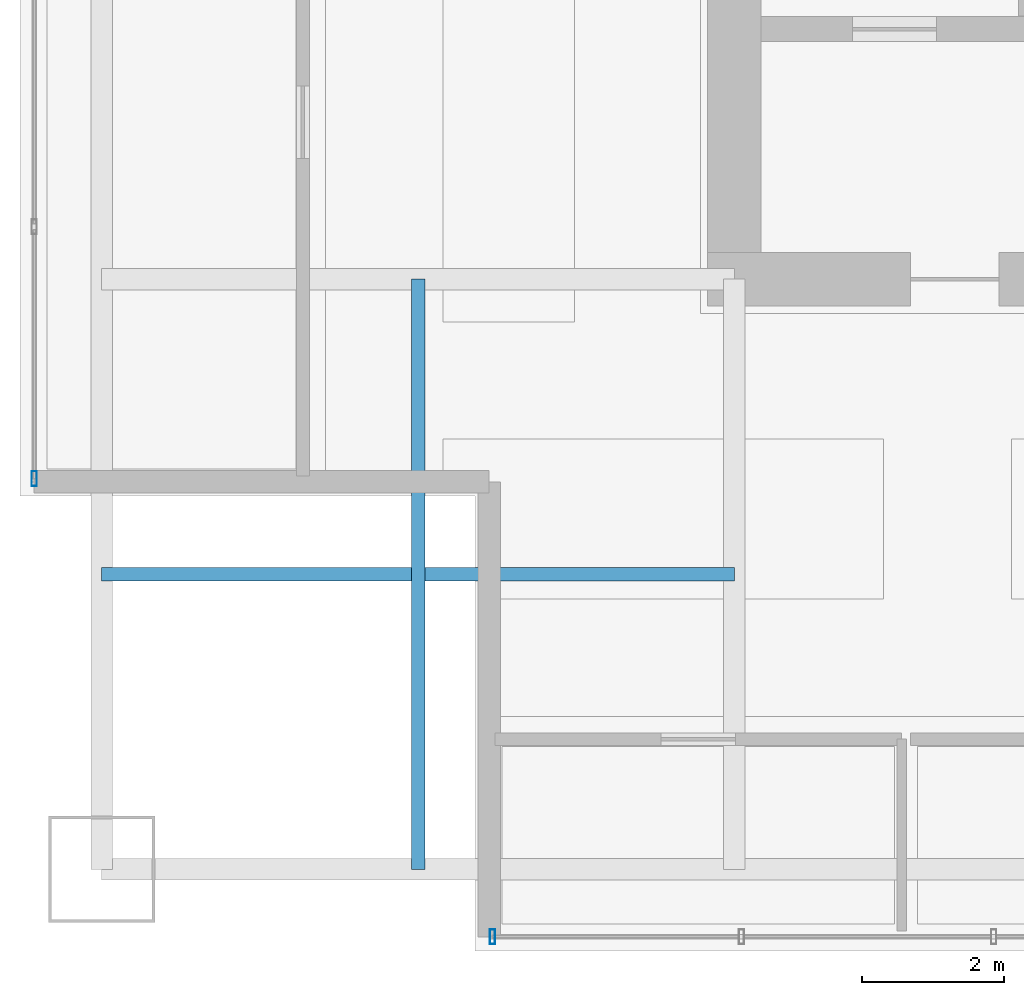
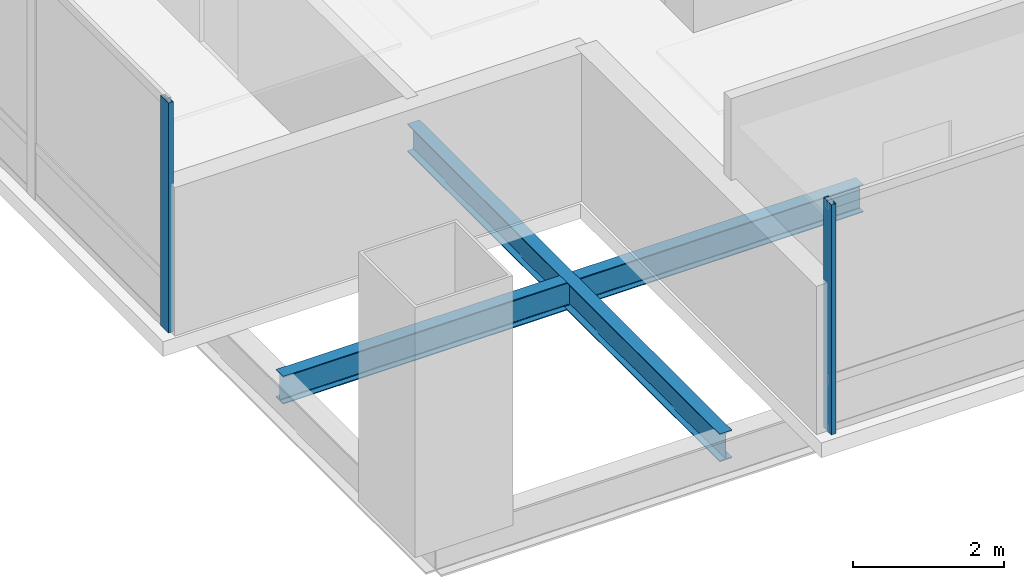
# One storey, part 2 of 33: 2 beams, 2 members, 2 elements without a shape of their own.
"""IFC4 building model written with IfcOpenShell, lengths in metres."""

from ifc_helpers import new_model, si_unit, direction, frame, origin, origin_2d, place, context, subcontext, project, spatial, hollow_rectangle, i_section, extrude, material, material_profile, profile_set, type_object, element, aggregate, save


model = new_model("IFC4")

# Units and contexts
model_context = context("Model", 3, precision=1e-05, world=origin(), true_north=direction((0.0, 1.0)))
body_context = subcontext(model_context, "Body", "Model", "MODEL_VIEW")
ifc_project = project(units=[si_unit("LENGTHUNIT", "METRE"), si_unit("AREAUNIT", "SQUARE_METRE"), si_unit("VOLUMEUNIT", "CUBIC_METRE"), si_unit("PLANEANGLEUNIT", "RADIAN"), si_unit("MASSUNIT", "GRAM", prefix="KILO")], contexts=[model_context])

# Site, building, storey
site_placement = place(None, origin())
site = spatial("IfcSite", under=ifc_project, at=site_placement, CompositionType="ELEMENT")
building_placement = place(site_placement, origin())
building = spatial("IfcBuilding", under=site, at=building_placement, Name="Punatoya Terracotta Tower", CompositionType="ELEMENT")
storey_placement = place(building_placement, frame((0.0, 0.0, 121.35009765625)))
storey = spatial("IfcBuildingStorey", under=building, at=storey_placement, Name="L28", CompositionType="ELEMENT", Elevation=121.35009765625)

# Beams
ifc_material_1 = material(Name="Steel S355", Category="steel")
ifc_material_profile_1 = material_profile(ifc_material_1, i_section(OverallWidth=0.18994140625, OverallDepth=0.449951171875, WebThickness=0.009521484375, FlangeThickness=0.0146484375, FilletRadius=0.01806640625, at=origin_2d()))
ifc_profile_set_1 = profile_set([ifc_material_profile_1], Name="Steel S355")
beam_type = type_object("IfcBeamType", Name="BM-SEC-450", PredefinedType="JOIST", material=ifc_profile_set_1)
beam_1_placement = place(storey_placement, frame((-19.10009765625, -13.35009765625, -0.465087890625), z_axis=(1.0, 0.0, 0.0), x_axis=(0.0, 1.0, 0.0)))
element("IfcBeam", 1, at=beam_1_placement, inside=storey, type_object=beam_type, Name="BM-L28-SJS-1", PredefinedType="JOIST", context=body_context, shape_type="SweptSolid", body=[
    extrude(i_section(OverallWidth=0.18994140625, OverallDepth=0.449951171875, WebThickness=0.009521484375, FlangeThickness=0.0146484375, FilletRadius=0.01806640625, at=origin_2d()), origin(), (0.0, 0.0, 1.0), 8.900146484375),
])
beam_2_placement = place(storey_placement, frame((-14.64990234375, -17.5, -0.465087890625), z_axis=(0.0, 1.0, 0.0), x_axis=(-1.0, 0.0, 0.0)))
element("IfcBeam", 2, at=beam_2_placement, inside=storey, type_object=beam_type, Name="BM-L28-SJW-1", PredefinedType="JOIST", context=body_context, shape_type="SweptSolid", body=[
    extrude(i_section(OverallWidth=0.18994140625, OverallDepth=0.449951171875, WebThickness=0.009521484375, FlangeThickness=0.0146484375, FilletRadius=0.01806640625, at=origin_2d()), origin(), (0.0, 0.0, 1.0), 8.300048828125),
])

# Curtain wall, member
ifc_material_2 = material(Name="Aluminium 6063-T6 + Double Low-E Glass", Category="aluminium")
curtain_wall_type = type_object("IfcCurtainWallType", Name="CW-M1", PredefinedType="NOTDEFINED", material=ifc_material_2)
curtain_wall_1_placement = place(storey_placement, origin())
curtain_wall_1 = element("IfcCurtainWall", 3, at=curtain_wall_1_placement, inside=storey, type_object=curtain_wall_type, Name="L28 Curtain Wall CW-L28-S01-1", PredefinedType="NOTDEFINED")
ifc_material_3 = material(Name="Aluminium 6063-T6", Category="aluminium")
ifc_material_profile_2 = material_profile(ifc_material_3, hollow_rectangle(XDim=0.074951171875, YDim=0.2099609375, WallThickness=0.00439453125, at=origin_2d()))
ifc_profile_set_2 = profile_set([ifc_material_profile_2], Name="Aluminium 6063-T6")
member_type = type_object("IfcMemberType", Name="CW-MUL-M1", PredefinedType="MULLION", material=ifc_profile_set_2)
member_1_placement = place(storey_placement, frame((-13.60498046875, -18.449951171875, 0.0), z_axis=(0.0, 0.0, 1.0), x_axis=(1.0, 0.0, 0.0)))
member_1 = element("IfcMember", 4, at=member_1_placement, type_object=member_type, Name="CW-L28-S01-1 Mullion 00", PredefinedType="MULLION", context=body_context, shape_type="SweptSolid", body=[
    extrude(hollow_rectangle(XDim=0.074951171875, YDim=0.2099609375, WallThickness=0.00439453125, at=origin_2d()), origin(), (0.0, 0.0, 1.0), 3.72998046875),
])
aggregate(curtain_wall_1, [member_1])

curtain_wall_2_placement = place(storey_placement, origin())
curtain_wall_2 = element("IfcCurtainWall", 5, at=curtain_wall_2_placement, inside=storey, type_object=curtain_wall_type, Name="L28 Curtain Wall CW-L28-W12-1", PredefinedType="NOTDEFINED")
member_2_placement = place(storey_placement, frame((-20.050048828125, -12.0048828125, 0.0), z_axis=(0.0, 0.0, 1.0), x_axis=(1.0, 0.0, 0.0)))
member_2 = element("IfcMember", 6, at=member_2_placement, type_object=member_type, Name="CW-L28-W12-1 Mullion 09", PredefinedType="MULLION", context=body_context, shape_type="SweptSolid", body=[
    extrude(hollow_rectangle(XDim=0.074951171875, YDim=0.2099609375, WallThickness=0.00439453125, at=origin_2d()), origin(), (0.0, 0.0, 1.0), 3.72998046875),
])
aggregate(curtain_wall_2, [member_2])

save(model, "model.ifc")
